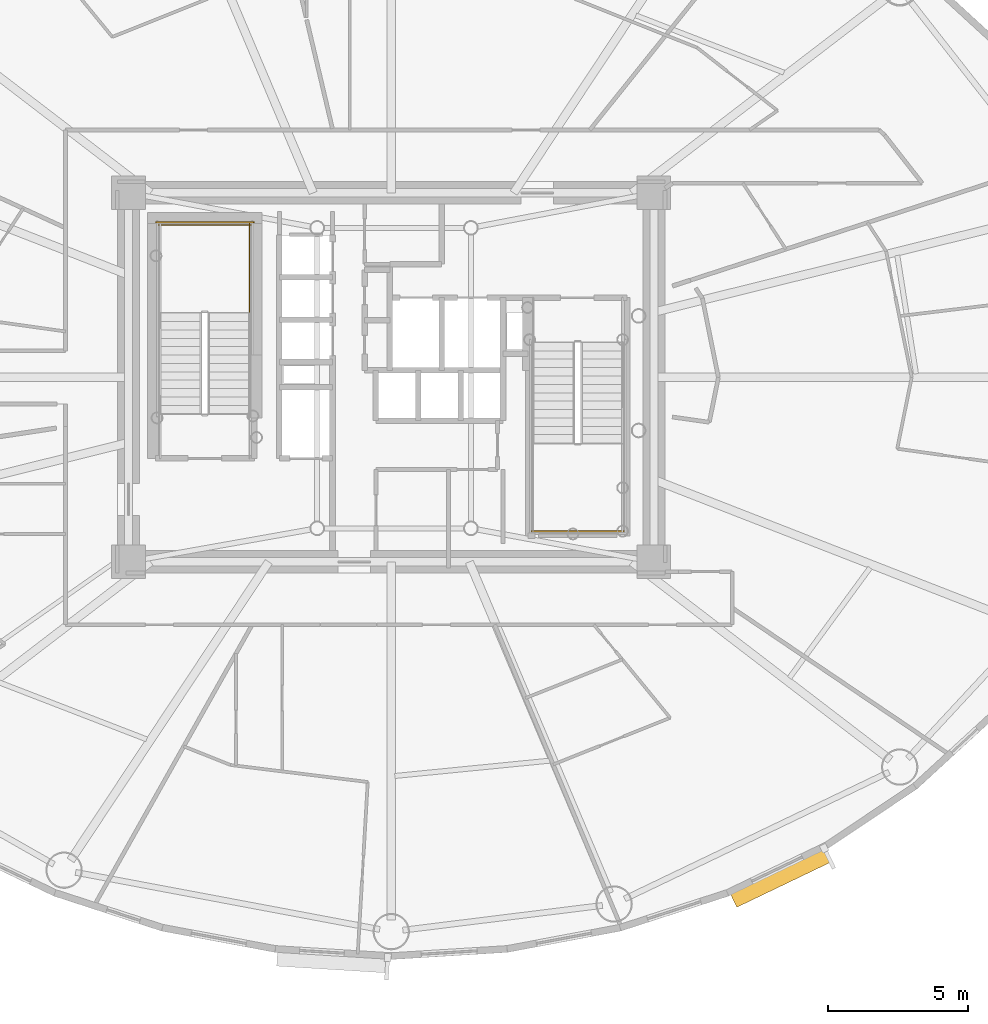
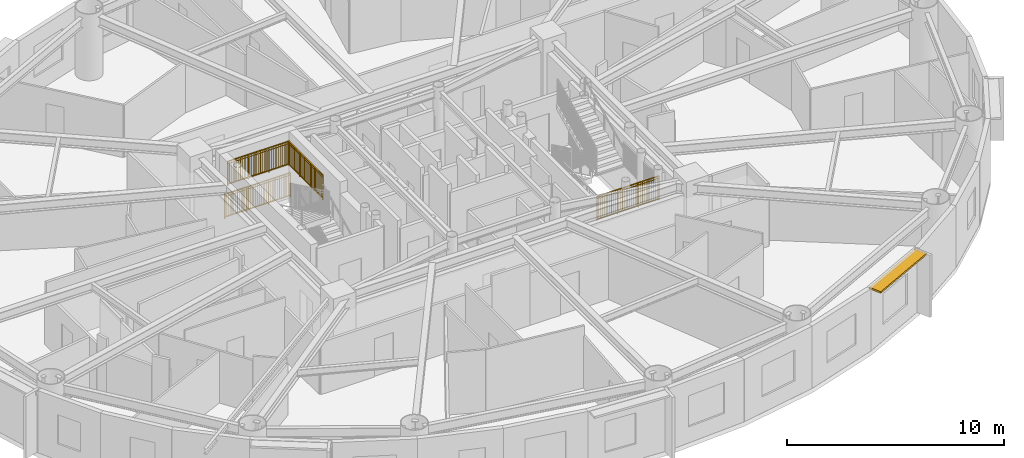
# One storey, part 17 of 20: 4 railings, 1 shading device.
"""IFC4 building model written with IfcOpenShell, lengths in metres."""

from ifc_helpers import new_model, si_unit, direction, frame, origin, origin_2d, place, context, subcontext, project, spatial, rectangle, extrude, source, transform, mapped, material, layer, layer_set, type_object, element, save


model = new_model("IFC4")

# Units and contexts
model_context = context("Model", 3, precision=1e-05, world=origin(), true_north=direction((0.0, 1.0)))
body_context = subcontext(model_context, "Body", "Model", "MODEL_VIEW")
ifc_project = project(units=[si_unit("LENGTHUNIT", "METRE"), si_unit("AREAUNIT", "SQUARE_METRE"), si_unit("VOLUMEUNIT", "CUBIC_METRE"), si_unit("PLANEANGLEUNIT", "RADIAN"), si_unit("MASSUNIT", "GRAM", prefix="KILO")], contexts=[model_context])

# Site, building, storey
site_placement = place(None, origin())
site = spatial("IfcSite", under=ifc_project, at=site_placement, CompositionType="ELEMENT")
building_placement = place(site_placement, origin())
building = spatial("IfcBuilding", under=site, at=building_placement, Name="Linh Dai School and Residence Tower", CompositionType="ELEMENT")
storey_placement = place(building_placement, frame((0.0, 0.0, 163.64990234375)))
storey = spatial("IfcBuildingStorey", under=building, at=storey_placement, Name="L39", CompositionType="ELEMENT", Elevation=163.64990234375)

# Shading device
ifc_material_1 = material(Name="Terracotta Ceramic Sunshade", Category="masonry")
ifc_layer = layer(ifc_material_1, 0.10009765625)
ifc_layer_set = layer_set([ifc_layer], Name="Terracotta Ceramic Sunshade")
shading_device_type = type_object("IfcShadingDeviceType", Name="SHD-TC-650", PredefinedType="USERDEFINED", material=ifc_layer_set)
shared_shape_1 = source(origin(), body_context, "Body", "SweptSolid", [
    extrude(rectangle(XDim=3.773193359375, YDim=0.64990234375, at=origin_2d()), origin(), (0.0, 0.0, 1.0), 0.10009765625),
])
shading_device_placement = place(storey_placement, frame((49.9248046875, 9.149658203125, 3.380126953125), z_axis=(0.0, 0.0, 1.0), x_axis=(-0.901569306779, -0.432634701653, 0.0)))
element("IfcShadingDevice", 1, at=shading_device_placement, inside=storey, type_object=shading_device_type, Name="L39 Terracotta Horizontal Sunshade Band 34", ObjectType="SUNSHADE", PredefinedType="USERDEFINED", context=body_context, shape_type="MappedRepresentation", body=[
    mapped(shared_shape_1, transform((0.0, 0.0, 0.0), x_axis=(1.0, 0.0, 0.0), y_axis=(0.0, 1.0, 0.0), z_axis=(0.0, 0.0, 1.0), scale=1.0)),
])

# Railings
ifc_material_2 = material(Name="Structural Steel S355JR", Category="steel")
railing_type = type_object("IfcRailingType", Name="RL-ST-GUARD-1400", PredefinedType="GUARDRAIL", material=ifc_material_2)
shared_shape_2 = source(origin(), body_context, "Body", "SweptSolid", [
    extrude(rectangle(XDim=0.048095703125, YDim=0.048095703125, at=origin_2d()), frame((0.0, 0.0, 1.3759765625), z_axis=(-1.0, 0.0, 0.0), x_axis=(0.0, -1.0, 0.0)), (0.0, 0.0, 1.0), 3.300048828125),
    extrude(rectangle(XDim=0.048095703125, YDim=0.048095703125, at=origin_2d()), frame((0.0, 0.0, 0.10009765625), z_axis=(-1.0, 0.0, 0.0), x_axis=(0.0, -1.0, 0.0)), (0.0, 0.0, 1.0), 3.300048828125),
    extrude(rectangle(XDim=0.030029296875, YDim=0.030029296875, at=origin_2d()), frame((0.0, 0.0, 1.239990234375), z_axis=(-1.0, 0.0, 0.0), x_axis=(0.0, -1.0, 0.0)), (0.0, 0.0, 1.0), 3.300048828125),
    extrude(rectangle(XDim=0.02001953125, YDim=0.02001953125, at=origin_2d()), frame((-0.09716796875, 0.0, 0.10009765625)), (0.0, 0.0, 1.0), 1.251708984375),
    extrude(rectangle(XDim=0.02001953125, YDim=0.02001953125, at=origin_2d()), frame((-0.194091796875, 0.0, 0.10009765625)), (0.0, 0.0, 1.0), 1.251708984375),
    extrude(rectangle(XDim=0.02001953125, YDim=0.02001953125, at=origin_2d()), frame((-0.291259765625, 0.0, 0.10009765625)), (0.0, 0.0, 1.0), 1.251708984375),
    extrude(rectangle(XDim=0.02001953125, YDim=0.02001953125, at=origin_2d()), frame((-0.38818359375, 0.0, 0.10009765625)), (0.0, 0.0, 1.0), 1.251708984375),
    extrude(rectangle(XDim=0.02001953125, YDim=0.02001953125, at=origin_2d()), frame((-0.4853515625, 0.0, 0.10009765625)), (0.0, 0.0, 1.0), 1.251708984375),
    extrude(rectangle(XDim=0.02001953125, YDim=0.02001953125, at=origin_2d()), frame((-0.582275390625, 0.0, 0.10009765625)), (0.0, 0.0, 1.0), 1.251708984375),
    extrude(rectangle(XDim=0.02001953125, YDim=0.02001953125, at=origin_2d()), frame((-0.679443359375, 0.0, 0.10009765625)), (0.0, 0.0, 1.0), 1.251708984375),
    extrude(rectangle(XDim=0.02001953125, YDim=0.02001953125, at=origin_2d()), frame((-0.7763671875, 0.0, 0.10009765625)), (0.0, 0.0, 1.0), 1.251708984375),
    extrude(rectangle(XDim=0.02001953125, YDim=0.02001953125, at=origin_2d()), frame((-0.87353515625, 0.0, 0.10009765625)), (0.0, 0.0, 1.0), 1.251708984375),
    extrude(rectangle(XDim=0.02001953125, YDim=0.02001953125, at=origin_2d()), frame((-0.970703125, 0.0, 0.10009765625)), (0.0, 0.0, 1.0), 1.251708984375),
    extrude(rectangle(XDim=0.02001953125, YDim=0.02001953125, at=origin_2d()), frame((-1.164794921875, 0.0, 0.10009765625)), (0.0, 0.0, 1.0), 1.251708984375),
    extrude(rectangle(XDim=0.02001953125, YDim=0.02001953125, at=origin_2d()), frame((-1.26171875, 0.0, 0.10009765625)), (0.0, 0.0, 1.0), 1.251708984375),
    extrude(rectangle(XDim=0.02001953125, YDim=0.02001953125, at=origin_2d()), frame((-1.35888671875, 0.0, 0.10009765625)), (0.0, 0.0, 1.0), 1.251708984375),
    extrude(rectangle(XDim=0.02001953125, YDim=0.02001953125, at=origin_2d()), frame((-1.455810546875, 0.0, 0.10009765625)), (0.0, 0.0, 1.0), 1.251708984375),
    extrude(rectangle(XDim=0.02001953125, YDim=0.02001953125, at=origin_2d()), frame((-1.552978515625, 0.0, 0.10009765625)), (0.0, 0.0, 1.0), 1.251708984375),
    extrude(rectangle(XDim=0.02001953125, YDim=0.02001953125, at=origin_2d()), frame((-1.64990234375, 0.0, 0.10009765625)), (0.0, 0.0, 1.0), 1.251708984375),
    extrude(rectangle(XDim=0.02001953125, YDim=0.02001953125, at=origin_2d()), frame((-1.7470703125, 0.0, 0.10009765625)), (0.0, 0.0, 1.0), 1.251708984375),
    extrude(rectangle(XDim=0.02001953125, YDim=0.02001953125, at=origin_2d()), frame((-1.84423828125, 0.0, 0.10009765625)), (0.0, 0.0, 1.0), 1.251708984375),
    extrude(rectangle(XDim=0.02001953125, YDim=0.02001953125, at=origin_2d()), frame((-1.941162109375, 0.0, 0.10009765625)), (0.0, 0.0, 1.0), 1.251708984375),
    extrude(rectangle(XDim=0.02001953125, YDim=0.02001953125, at=origin_2d()), frame((-2.038330078125, 0.0, 0.10009765625)), (0.0, 0.0, 1.0), 1.251708984375),
    extrude(rectangle(XDim=0.02001953125, YDim=0.02001953125, at=origin_2d()), frame((-2.13525390625, 0.0, 0.10009765625)), (0.0, 0.0, 1.0), 1.251708984375),
    extrude(rectangle(XDim=0.02001953125, YDim=0.02001953125, at=origin_2d()), frame((-2.329345703125, 0.0, 0.10009765625)), (0.0, 0.0, 1.0), 1.251708984375),
    extrude(rectangle(XDim=0.02001953125, YDim=0.02001953125, at=origin_2d()), frame((-2.426513671875, 0.0, 0.10009765625)), (0.0, 0.0, 1.0), 1.251708984375),
    extrude(rectangle(XDim=0.02001953125, YDim=0.02001953125, at=origin_2d()), frame((-2.523681640625, 0.0, 0.10009765625)), (0.0, 0.0, 1.0), 1.251708984375),
    extrude(rectangle(XDim=0.02001953125, YDim=0.02001953125, at=origin_2d()), frame((-2.62060546875, 0.0, 0.10009765625)), (0.0, 0.0, 1.0), 1.251708984375),
    extrude(rectangle(XDim=0.02001953125, YDim=0.02001953125, at=origin_2d()), frame((-2.7177734375, 0.0, 0.10009765625)), (0.0, 0.0, 1.0), 1.251708984375),
    extrude(rectangle(XDim=0.02001953125, YDim=0.02001953125, at=origin_2d()), frame((-2.814697265625, 0.0, 0.10009765625)), (0.0, 0.0, 1.0), 1.251708984375),
    extrude(rectangle(XDim=0.02001953125, YDim=0.02001953125, at=origin_2d()), frame((-2.911865234375, 0.0, 0.10009765625)), (0.0, 0.0, 1.0), 1.251708984375),
    extrude(rectangle(XDim=0.02001953125, YDim=0.02001953125, at=origin_2d()), frame((-3.0087890625, 0.0, 0.10009765625)), (0.0, 0.0, 1.0), 1.251708984375),
    extrude(rectangle(XDim=0.02001953125, YDim=0.02001953125, at=origin_2d()), frame((-3.10595703125, 0.0, 0.10009765625)), (0.0, 0.0, 1.0), 1.251708984375),
    extrude(rectangle(XDim=0.02001953125, YDim=0.02001953125, at=origin_2d()), frame((-3.202880859375, 0.0, 0.10009765625)), (0.0, 0.0, 1.0), 1.251708984375),
    extrude(rectangle(XDim=0.0419921875, YDim=0.0419921875, at=origin_2d()), origin(), (0.0, 0.0, 1.0), 1.3759765625),
    extrude(rectangle(XDim=0.0419921875, YDim=0.0419921875, at=origin_2d()), frame((-1.10009765625, 0.0, 0.0)), (0.0, 0.0, 1.0), 1.3759765625),
    extrude(rectangle(XDim=0.0419921875, YDim=0.0419921875, at=origin_2d()), frame((-2.199951171875, 0.0, 0.0)), (0.0, 0.0, 1.0), 1.3759765625),
    extrude(rectangle(XDim=0.0419921875, YDim=0.0419921875, at=origin_2d()), frame((-3.300048828125, 0.0, 0.0)), (0.0, 0.0, 1.0), 1.3759765625),
])
railing_1_placement = place(storey_placement, frame((30.97998046875, 32.449951171875, 1.875)))
element("IfcRailing", 2, at=railing_1_placement, inside=storey, type_object=railing_type, Name="L39 ST1 stair guard 5", PredefinedType="GUARDRAIL", context=body_context, shape_type="MappedRepresentation", body=[
    mapped(shared_shape_2, transform((0.0, 0.0, 0.0), x_axis=(1.0, 0.0, 0.0), y_axis=(0.0, 1.0, 0.0), z_axis=(0.0, 0.0, 1.0), scale=1.0)),
])
shared_shape_3 = source(origin(), body_context, "Body", "SweptSolid", [
    extrude(rectangle(XDim=0.048095703125, YDim=0.048095703125, at=origin_2d()), frame((0.0, 0.0, 1.3759765625), z_axis=(-1.0, 0.0, 0.0), x_axis=(0.0, -1.0, 0.0)), (0.0, 0.0, 1.0), 3.5),
    extrude(rectangle(XDim=0.048095703125, YDim=0.048095703125, at=origin_2d()), frame((0.0, 0.0, 0.10009765625), z_axis=(-1.0, 0.0, 0.0), x_axis=(0.0, -1.0, 0.0)), (0.0, 0.0, 1.0), 3.5),
    extrude(rectangle(XDim=0.030029296875, YDim=0.030029296875, at=origin_2d()), frame((0.0, 0.0, 1.239990234375), z_axis=(-1.0, 0.0, 0.0), x_axis=(0.0, -1.0, 0.0)), (0.0, 0.0, 1.0), 3.5),
    extrude(rectangle(XDim=0.02001953125, YDim=0.02001953125, at=origin_2d()), frame((-0.09716796875, 0.0, 0.10009765625)), (0.0, 0.0, 1.0), 1.251708984375),
    extrude(rectangle(XDim=0.02001953125, YDim=0.02001953125, at=origin_2d()), frame((-0.1943359375, 0.0, 0.10009765625)), (0.0, 0.0, 1.0), 1.251708984375),
    extrude(rectangle(XDim=0.02001953125, YDim=0.02001953125, at=origin_2d()), frame((-0.291748046875, 0.0, 0.10009765625)), (0.0, 0.0, 1.0), 1.251708984375),
    extrude(rectangle(XDim=0.02001953125, YDim=0.02001953125, at=origin_2d()), frame((-0.388916015625, 0.0, 0.10009765625)), (0.0, 0.0, 1.0), 1.251708984375),
    extrude(rectangle(XDim=0.02001953125, YDim=0.02001953125, at=origin_2d()), frame((-0.486083984375, 0.0, 0.10009765625)), (0.0, 0.0, 1.0), 1.251708984375),
    extrude(rectangle(XDim=0.02001953125, YDim=0.02001953125, at=origin_2d()), frame((-0.583251953125, 0.0, 0.10009765625)), (0.0, 0.0, 1.0), 1.251708984375),
    extrude(rectangle(XDim=0.02001953125, YDim=0.02001953125, at=origin_2d()), frame((-0.6806640625, 0.0, 0.10009765625)), (0.0, 0.0, 1.0), 1.251708984375),
    extrude(rectangle(XDim=0.02001953125, YDim=0.02001953125, at=origin_2d()), frame((-0.77783203125, 0.0, 0.10009765625)), (0.0, 0.0, 1.0), 1.251708984375),
    extrude(rectangle(XDim=0.02001953125, YDim=0.02001953125, at=origin_2d()), frame((-0.875, 0.0, 0.10009765625)), (0.0, 0.0, 1.0), 1.251708984375),
    extrude(rectangle(XDim=0.02001953125, YDim=0.02001953125, at=origin_2d()), frame((-0.97216796875, 0.0, 0.10009765625)), (0.0, 0.0, 1.0), 1.251708984375),
    extrude(rectangle(XDim=0.02001953125, YDim=0.02001953125, at=origin_2d()), frame((-1.0693359375, 0.0, 0.10009765625)), (0.0, 0.0, 1.0), 1.251708984375),
    extrude(rectangle(XDim=0.02001953125, YDim=0.02001953125, at=origin_2d()), frame((-1.263916015625, 0.0, 0.10009765625)), (0.0, 0.0, 1.0), 1.251708984375),
    extrude(rectangle(XDim=0.02001953125, YDim=0.02001953125, at=origin_2d()), frame((-1.361083984375, 0.0, 0.10009765625)), (0.0, 0.0, 1.0), 1.251708984375),
    extrude(rectangle(XDim=0.02001953125, YDim=0.02001953125, at=origin_2d()), frame((-1.458251953125, 0.0, 0.10009765625)), (0.0, 0.0, 1.0), 1.251708984375),
    extrude(rectangle(XDim=0.02001953125, YDim=0.02001953125, at=origin_2d()), frame((-1.5556640625, 0.0, 0.10009765625)), (0.0, 0.0, 1.0), 1.251708984375),
    extrude(rectangle(XDim=0.02001953125, YDim=0.02001953125, at=origin_2d()), frame((-1.65283203125, 0.0, 0.10009765625)), (0.0, 0.0, 1.0), 1.251708984375),
    extrude(rectangle(XDim=0.02001953125, YDim=0.02001953125, at=origin_2d()), frame((-1.75, 0.0, 0.10009765625)), (0.0, 0.0, 1.0), 1.251708984375),
    extrude(rectangle(XDim=0.02001953125, YDim=0.02001953125, at=origin_2d()), frame((-1.84716796875, 0.0, 0.10009765625)), (0.0, 0.0, 1.0), 1.251708984375),
    extrude(rectangle(XDim=0.02001953125, YDim=0.02001953125, at=origin_2d()), frame((-1.9443359375, 0.0, 0.10009765625)), (0.0, 0.0, 1.0), 1.251708984375),
    extrude(rectangle(XDim=0.02001953125, YDim=0.02001953125, at=origin_2d()), frame((-2.041748046875, 0.0, 0.10009765625)), (0.0, 0.0, 1.0), 1.251708984375),
    extrude(rectangle(XDim=0.02001953125, YDim=0.02001953125, at=origin_2d()), frame((-2.138916015625, 0.0, 0.10009765625)), (0.0, 0.0, 1.0), 1.251708984375),
    extrude(rectangle(XDim=0.02001953125, YDim=0.02001953125, at=origin_2d()), frame((-2.236083984375, 0.0, 0.10009765625)), (0.0, 0.0, 1.0), 1.251708984375),
    extrude(rectangle(XDim=0.02001953125, YDim=0.02001953125, at=origin_2d()), frame((-2.4306640625, 0.0, 0.10009765625)), (0.0, 0.0, 1.0), 1.251708984375),
    extrude(rectangle(XDim=0.02001953125, YDim=0.02001953125, at=origin_2d()), frame((-2.52783203125, 0.0, 0.10009765625)), (0.0, 0.0, 1.0), 1.251708984375),
    extrude(rectangle(XDim=0.02001953125, YDim=0.02001953125, at=origin_2d()), frame((-2.625, 0.0, 0.10009765625)), (0.0, 0.0, 1.0), 1.251708984375),
    extrude(rectangle(XDim=0.02001953125, YDim=0.02001953125, at=origin_2d()), frame((-2.72216796875, 0.0, 0.10009765625)), (0.0, 0.0, 1.0), 1.251708984375),
    extrude(rectangle(XDim=0.02001953125, YDim=0.02001953125, at=origin_2d()), frame((-2.8193359375, 0.0, 0.10009765625)), (0.0, 0.0, 1.0), 1.251708984375),
    extrude(rectangle(XDim=0.02001953125, YDim=0.02001953125, at=origin_2d()), frame((-2.916748046875, 0.0, 0.10009765625)), (0.0, 0.0, 1.0), 1.251708984375),
    extrude(rectangle(XDim=0.02001953125, YDim=0.02001953125, at=origin_2d()), frame((-3.013916015625, 0.0, 0.10009765625)), (0.0, 0.0, 1.0), 1.251708984375),
    extrude(rectangle(XDim=0.02001953125, YDim=0.02001953125, at=origin_2d()), frame((-3.111083984375, 0.0, 0.10009765625)), (0.0, 0.0, 1.0), 1.251708984375),
    extrude(rectangle(XDim=0.02001953125, YDim=0.02001953125, at=origin_2d()), frame((-3.208251953125, 0.0, 0.10009765625)), (0.0, 0.0, 1.0), 1.251708984375),
    extrude(rectangle(XDim=0.02001953125, YDim=0.02001953125, at=origin_2d()), frame((-3.3056640625, 0.0, 0.10009765625)), (0.0, 0.0, 1.0), 1.251708984375),
    extrude(rectangle(XDim=0.02001953125, YDim=0.02001953125, at=origin_2d()), frame((-3.40283203125, 0.0, 0.10009765625)), (0.0, 0.0, 1.0), 1.251708984375),
    extrude(rectangle(XDim=0.0419921875, YDim=0.0419921875, at=origin_2d()), origin(), (0.0, 0.0, 1.0), 1.3759765625),
    extrude(rectangle(XDim=0.0419921875, YDim=0.0419921875, at=origin_2d()), frame((-1.166748046875, 0.0, 0.0)), (0.0, 0.0, 1.0), 1.3759765625),
    extrude(rectangle(XDim=0.0419921875, YDim=0.0419921875, at=origin_2d()), frame((-2.333251953125, 0.0, 0.0)), (0.0, 0.0, 1.0), 1.3759765625),
    extrude(rectangle(XDim=0.0419921875, YDim=0.0419921875, at=origin_2d()), frame((-3.5, 0.0, 0.0)), (0.0, 0.0, 1.0), 1.3759765625),
])
railing_2_placement = place(storey_placement, frame((31.080078125, 32.550048828125, 0.0)))
element("IfcRailing", 3, at=railing_2_placement, inside=storey, type_object=railing_type, Name="L39 ST1 stair guard 12", PredefinedType="GUARDRAIL", context=body_context, shape_type="MappedRepresentation", body=[
    mapped(shared_shape_3, transform((0.0, 0.0, 0.0), x_axis=(1.0, 0.0, 0.0), y_axis=(0.0, 1.0, 0.0), z_axis=(0.0, 0.0, 1.0), scale=1.0)),
])
shared_shape_4 = source(origin(), body_context, "Body", "SweptSolid", [
    extrude(rectangle(XDim=0.048095703125, YDim=0.048095703125, at=origin_2d()), frame((0.0, 0.0, 1.3759765625), z_axis=(0.0, 1.0, 0.0), x_axis=(-1.0, 0.0, 0.0)), (0.0, 0.0, 1.0), 3.199951171875),
    extrude(rectangle(XDim=0.048095703125, YDim=0.048095703125, at=origin_2d()), frame((0.0, 0.0, 0.10009765625), z_axis=(0.0, 1.0, 0.0), x_axis=(-1.0, 0.0, 0.0)), (0.0, 0.0, 1.0), 3.199951171875),
    extrude(rectangle(XDim=0.030029296875, YDim=0.030029296875, at=origin_2d()), frame((0.0, 0.0, 1.239990234375), z_axis=(0.0, 1.0, 0.0), x_axis=(-1.0, 0.0, 0.0)), (0.0, 0.0, 1.0), 3.199951171875),
    extrude(rectangle(XDim=0.02001953125, YDim=0.02001953125, at=origin_2d()), frame((0.0, 0.096923828125, 0.10009765625)), (0.0, 0.0, 1.0), 1.251708984375),
    extrude(rectangle(XDim=0.02001953125, YDim=0.02001953125, at=origin_2d()), frame((0.0, 0.19384765625, 0.10009765625)), (0.0, 0.0, 1.0), 1.251708984375),
    extrude(rectangle(XDim=0.02001953125, YDim=0.02001953125, at=origin_2d()), frame((0.0, 0.291015625, 0.10009765625)), (0.0, 0.0, 1.0), 1.251708984375),
    extrude(rectangle(XDim=0.02001953125, YDim=0.02001953125, at=origin_2d()), frame((0.0, 0.387939453125, 0.10009765625)), (0.0, 0.0, 1.0), 1.251708984375),
    extrude(rectangle(XDim=0.02001953125, YDim=0.02001953125, at=origin_2d()), frame((0.0, 0.48486328125, 0.10009765625)), (0.0, 0.0, 1.0), 1.251708984375),
    extrude(rectangle(XDim=0.02001953125, YDim=0.02001953125, at=origin_2d()), frame((0.0, 0.581787109375, 0.10009765625)), (0.0, 0.0, 1.0), 1.251708984375),
    extrude(rectangle(XDim=0.02001953125, YDim=0.02001953125, at=origin_2d()), frame((0.0, 0.6787109375, 0.10009765625)), (0.0, 0.0, 1.0), 1.251708984375),
    extrude(rectangle(XDim=0.02001953125, YDim=0.02001953125, at=origin_2d()), frame((0.0, 0.775634765625, 0.10009765625)), (0.0, 0.0, 1.0), 1.251708984375),
    extrude(rectangle(XDim=0.02001953125, YDim=0.02001953125, at=origin_2d()), frame((0.0, 0.872802734375, 0.10009765625)), (0.0, 0.0, 1.0), 1.251708984375),
    extrude(rectangle(XDim=0.02001953125, YDim=0.02001953125, at=origin_2d()), frame((0.0, 0.9697265625, 0.10009765625)), (0.0, 0.0, 1.0), 1.251708984375),
    extrude(rectangle(XDim=0.02001953125, YDim=0.02001953125, at=origin_2d()), frame((0.0, 1.16357421875, 0.10009765625)), (0.0, 0.0, 1.0), 1.251708984375),
    extrude(rectangle(XDim=0.02001953125, YDim=0.02001953125, at=origin_2d()), frame((0.0, 1.260498046875, 0.10009765625)), (0.0, 0.0, 1.0), 1.251708984375),
    extrude(rectangle(XDim=0.02001953125, YDim=0.02001953125, at=origin_2d()), frame((0.0, 1.357666015625, 0.10009765625)), (0.0, 0.0, 1.0), 1.251708984375),
    extrude(rectangle(XDim=0.02001953125, YDim=0.02001953125, at=origin_2d()), frame((0.0, 1.45458984375, 0.10009765625)), (0.0, 0.0, 1.0), 1.251708984375),
    extrude(rectangle(XDim=0.02001953125, YDim=0.02001953125, at=origin_2d()), frame((0.0, 1.551513671875, 0.10009765625)), (0.0, 0.0, 1.0), 1.251708984375),
    extrude(rectangle(XDim=0.02001953125, YDim=0.02001953125, at=origin_2d()), frame((0.0, 1.6484375, 0.10009765625)), (0.0, 0.0, 1.0), 1.251708984375),
    extrude(rectangle(XDim=0.02001953125, YDim=0.02001953125, at=origin_2d()), frame((0.0, 1.745361328125, 0.10009765625)), (0.0, 0.0, 1.0), 1.251708984375),
    extrude(rectangle(XDim=0.02001953125, YDim=0.02001953125, at=origin_2d()), frame((0.0, 1.84228515625, 0.10009765625)), (0.0, 0.0, 1.0), 1.251708984375),
    extrude(rectangle(XDim=0.02001953125, YDim=0.02001953125, at=origin_2d()), frame((0.0, 1.939453125, 0.10009765625)), (0.0, 0.0, 1.0), 1.251708984375),
    extrude(rectangle(XDim=0.02001953125, YDim=0.02001953125, at=origin_2d()), frame((0.0, 2.036376953125, 0.10009765625)), (0.0, 0.0, 1.0), 1.251708984375),
    extrude(rectangle(XDim=0.02001953125, YDim=0.02001953125, at=origin_2d()), frame((0.0, 2.230224609375, 0.10009765625)), (0.0, 0.0, 1.0), 1.251708984375),
    extrude(rectangle(XDim=0.02001953125, YDim=0.02001953125, at=origin_2d()), frame((0.0, 2.3271484375, 0.10009765625)), (0.0, 0.0, 1.0), 1.251708984375),
    extrude(rectangle(XDim=0.02001953125, YDim=0.02001953125, at=origin_2d()), frame((0.0, 2.42431640625, 0.10009765625)), (0.0, 0.0, 1.0), 1.251708984375),
    extrude(rectangle(XDim=0.02001953125, YDim=0.02001953125, at=origin_2d()), frame((0.0, 2.521240234375, 0.10009765625)), (0.0, 0.0, 1.0), 1.251708984375),
    extrude(rectangle(XDim=0.02001953125, YDim=0.02001953125, at=origin_2d()), frame((0.0, 2.6181640625, 0.10009765625)), (0.0, 0.0, 1.0), 1.251708984375),
    extrude(rectangle(XDim=0.02001953125, YDim=0.02001953125, at=origin_2d()), frame((0.0, 2.715087890625, 0.10009765625)), (0.0, 0.0, 1.0), 1.251708984375),
    extrude(rectangle(XDim=0.02001953125, YDim=0.02001953125, at=origin_2d()), frame((0.0, 2.81201171875, 0.10009765625)), (0.0, 0.0, 1.0), 1.251708984375),
    extrude(rectangle(XDim=0.02001953125, YDim=0.02001953125, at=origin_2d()), frame((0.0, 2.908935546875, 0.10009765625)), (0.0, 0.0, 1.0), 1.251708984375),
    extrude(rectangle(XDim=0.02001953125, YDim=0.02001953125, at=origin_2d()), frame((0.0, 3.006103515625, 0.10009765625)), (0.0, 0.0, 1.0), 1.251708984375),
    extrude(rectangle(XDim=0.02001953125, YDim=0.02001953125, at=origin_2d()), frame((0.0, 3.10302734375, 0.10009765625)), (0.0, 0.0, 1.0), 1.251708984375),
    extrude(rectangle(XDim=0.0419921875, YDim=0.0419921875, at=origin_2d()), origin(), (0.0, 0.0, 1.0), 1.3759765625),
    extrude(rectangle(XDim=0.0419921875, YDim=0.0419921875, at=origin_2d()), frame((0.0, 1.066650390625, 0.0)), (0.0, 0.0, 1.0), 1.3759765625),
    extrude(rectangle(XDim=0.0419921875, YDim=0.0419921875, at=origin_2d()), frame((0.0, 2.13330078125, 0.0)), (0.0, 0.0, 1.0), 1.3759765625),
    extrude(rectangle(XDim=0.0419921875, YDim=0.0419921875, at=origin_2d()), frame((0.0, 3.199951171875, 0.0)), (0.0, 0.0, 1.0), 1.3759765625),
])
railing_3_placement = place(storey_placement, frame((30.929931640625, 29.300048828125, 1.875)))
element("IfcRailing", 4, at=railing_3_placement, inside=storey, type_object=railing_type, Name="L39 ST1 stair guard 3", PredefinedType="GUARDRAIL", context=body_context, shape_type="MappedRepresentation", body=[
    mapped(shared_shape_4, transform((0.0, 0.0, 0.0), x_axis=(1.0, 0.0, 0.0), y_axis=(0.0, 1.0, 0.0), z_axis=(0.0, 0.0, 1.0), scale=1.0)),
])
shared_shape_5 = source(origin(), body_context, "Body", "SweptSolid", [
    extrude(rectangle(XDim=0.048095703125, YDim=0.048095703125, at=origin_2d()), frame((0.0, 0.0, 1.3759765625), z_axis=(1.0, 0.0, 0.0), x_axis=(0.0, 1.0, 0.0)), (0.0, 0.0, 1.0), 3.300048828125),
    extrude(rectangle(XDim=0.048095703125, YDim=0.048095703125, at=origin_2d()), frame((0.0, 0.0, 0.10009765625), z_axis=(1.0, 0.0, 0.0), x_axis=(0.0, 1.0, 0.0)), (0.0, 0.0, 1.0), 3.300048828125),
    extrude(rectangle(XDim=0.030029296875, YDim=0.030029296875, at=origin_2d()), frame((0.0, 0.0, 1.239990234375), z_axis=(1.0, 0.0, 0.0), x_axis=(0.0, 1.0, 0.0)), (0.0, 0.0, 1.0), 3.300048828125),
    extrude(rectangle(XDim=0.02001953125, YDim=0.02001953125, at=origin_2d()), frame((0.09716796875, 0.0, 0.10009765625)), (0.0, 0.0, 1.0), 1.251708984375),
    extrude(rectangle(XDim=0.02001953125, YDim=0.02001953125, at=origin_2d()), frame((0.194091796875, 0.0, 0.10009765625)), (0.0, 0.0, 1.0), 1.251708984375),
    extrude(rectangle(XDim=0.02001953125, YDim=0.02001953125, at=origin_2d()), frame((0.291259765625, 0.0, 0.10009765625)), (0.0, 0.0, 1.0), 1.251708984375),
    extrude(rectangle(XDim=0.02001953125, YDim=0.02001953125, at=origin_2d()), frame((0.38818359375, 0.0, 0.10009765625)), (0.0, 0.0, 1.0), 1.251708984375),
    extrude(rectangle(XDim=0.02001953125, YDim=0.02001953125, at=origin_2d()), frame((0.4853515625, 0.0, 0.10009765625)), (0.0, 0.0, 1.0), 1.251708984375),
    extrude(rectangle(XDim=0.02001953125, YDim=0.02001953125, at=origin_2d()), frame((0.582275390625, 0.0, 0.10009765625)), (0.0, 0.0, 1.0), 1.251708984375),
    extrude(rectangle(XDim=0.02001953125, YDim=0.02001953125, at=origin_2d()), frame((0.679443359375, 0.0, 0.10009765625)), (0.0, 0.0, 1.0), 1.251708984375),
    extrude(rectangle(XDim=0.02001953125, YDim=0.02001953125, at=origin_2d()), frame((0.7763671875, 0.0, 0.10009765625)), (0.0, 0.0, 1.0), 1.251708984375),
    extrude(rectangle(XDim=0.02001953125, YDim=0.02001953125, at=origin_2d()), frame((0.87353515625, 0.0, 0.10009765625)), (0.0, 0.0, 1.0), 1.251708984375),
    extrude(rectangle(XDim=0.02001953125, YDim=0.02001953125, at=origin_2d()), frame((0.970703125, 0.0, 0.10009765625)), (0.0, 0.0, 1.0), 1.251708984375),
    extrude(rectangle(XDim=0.02001953125, YDim=0.02001953125, at=origin_2d()), frame((1.164794921875, 0.0, 0.10009765625)), (0.0, 0.0, 1.0), 1.251708984375),
    extrude(rectangle(XDim=0.02001953125, YDim=0.02001953125, at=origin_2d()), frame((1.26171875, 0.0, 0.10009765625)), (0.0, 0.0, 1.0), 1.251708984375),
    extrude(rectangle(XDim=0.02001953125, YDim=0.02001953125, at=origin_2d()), frame((1.35888671875, 0.0, 0.10009765625)), (0.0, 0.0, 1.0), 1.251708984375),
    extrude(rectangle(XDim=0.02001953125, YDim=0.02001953125, at=origin_2d()), frame((1.455810546875, 0.0, 0.10009765625)), (0.0, 0.0, 1.0), 1.251708984375),
    extrude(rectangle(XDim=0.02001953125, YDim=0.02001953125, at=origin_2d()), frame((1.552978515625, 0.0, 0.10009765625)), (0.0, 0.0, 1.0), 1.251708984375),
    extrude(rectangle(XDim=0.02001953125, YDim=0.02001953125, at=origin_2d()), frame((1.64990234375, 0.0, 0.10009765625)), (0.0, 0.0, 1.0), 1.251708984375),
    extrude(rectangle(XDim=0.02001953125, YDim=0.02001953125, at=origin_2d()), frame((1.7470703125, 0.0, 0.10009765625)), (0.0, 0.0, 1.0), 1.251708984375),
    extrude(rectangle(XDim=0.02001953125, YDim=0.02001953125, at=origin_2d()), frame((1.84423828125, 0.0, 0.10009765625)), (0.0, 0.0, 1.0), 1.251708984375),
    extrude(rectangle(XDim=0.02001953125, YDim=0.02001953125, at=origin_2d()), frame((1.941162109375, 0.0, 0.10009765625)), (0.0, 0.0, 1.0), 1.251708984375),
    extrude(rectangle(XDim=0.02001953125, YDim=0.02001953125, at=origin_2d()), frame((2.038330078125, 0.0, 0.10009765625)), (0.0, 0.0, 1.0), 1.251708984375),
    extrude(rectangle(XDim=0.02001953125, YDim=0.02001953125, at=origin_2d()), frame((2.13525390625, 0.0, 0.10009765625)), (0.0, 0.0, 1.0), 1.251708984375),
    extrude(rectangle(XDim=0.02001953125, YDim=0.02001953125, at=origin_2d()), frame((2.329345703125, 0.0, 0.10009765625)), (0.0, 0.0, 1.0), 1.251708984375),
    extrude(rectangle(XDim=0.02001953125, YDim=0.02001953125, at=origin_2d()), frame((2.426513671875, 0.0, 0.10009765625)), (0.0, 0.0, 1.0), 1.251708984375),
    extrude(rectangle(XDim=0.02001953125, YDim=0.02001953125, at=origin_2d()), frame((2.523681640625, 0.0, 0.10009765625)), (0.0, 0.0, 1.0), 1.251708984375),
    extrude(rectangle(XDim=0.02001953125, YDim=0.02001953125, at=origin_2d()), frame((2.62060546875, 0.0, 0.10009765625)), (0.0, 0.0, 1.0), 1.251708984375),
    extrude(rectangle(XDim=0.02001953125, YDim=0.02001953125, at=origin_2d()), frame((2.7177734375, 0.0, 0.10009765625)), (0.0, 0.0, 1.0), 1.251708984375),
    extrude(rectangle(XDim=0.02001953125, YDim=0.02001953125, at=origin_2d()), frame((2.814697265625, 0.0, 0.10009765625)), (0.0, 0.0, 1.0), 1.251708984375),
    extrude(rectangle(XDim=0.02001953125, YDim=0.02001953125, at=origin_2d()), frame((2.911865234375, 0.0, 0.10009765625)), (0.0, 0.0, 1.0), 1.251708984375),
    extrude(rectangle(XDim=0.02001953125, YDim=0.02001953125, at=origin_2d()), frame((3.0087890625, 0.0, 0.10009765625)), (0.0, 0.0, 1.0), 1.251708984375),
    extrude(rectangle(XDim=0.02001953125, YDim=0.02001953125, at=origin_2d()), frame((3.10595703125, 0.0, 0.10009765625)), (0.0, 0.0, 1.0), 1.251708984375),
    extrude(rectangle(XDim=0.02001953125, YDim=0.02001953125, at=origin_2d()), frame((3.202880859375, 0.0, 0.10009765625)), (0.0, 0.0, 1.0), 1.251708984375),
    extrude(rectangle(XDim=0.0419921875, YDim=0.0419921875, at=origin_2d()), origin(), (0.0, 0.0, 1.0), 1.3759765625),
    extrude(rectangle(XDim=0.0419921875, YDim=0.0419921875, at=origin_2d()), frame((1.10009765625, 0.0, 0.0)), (0.0, 0.0, 1.0), 1.3759765625),
    extrude(rectangle(XDim=0.0419921875, YDim=0.0419921875, at=origin_2d()), frame((2.199951171875, 0.0, 0.0)), (0.0, 0.0, 1.0), 1.3759765625),
    extrude(rectangle(XDim=0.0419921875, YDim=0.0419921875, at=origin_2d()), frame((3.300048828125, 0.0, 0.0)), (0.0, 0.0, 1.0), 1.3759765625),
])
railing_4_placement = place(storey_placement, frame((41.02001953125, 21.5, 1.875)))
element("IfcRailing", 5, at=railing_4_placement, inside=storey, type_object=railing_type, Name="L39 ST2 stair guard 5", PredefinedType="GUARDRAIL", context=body_context, shape_type="MappedRepresentation", body=[
    mapped(shared_shape_5, transform((0.0, 0.0, 0.0), x_axis=(1.0, 0.0, 0.0), y_axis=(0.0, 1.0, 0.0), z_axis=(0.0, 0.0, 1.0), scale=1.0)),
])

save(model, "model.ifc")
